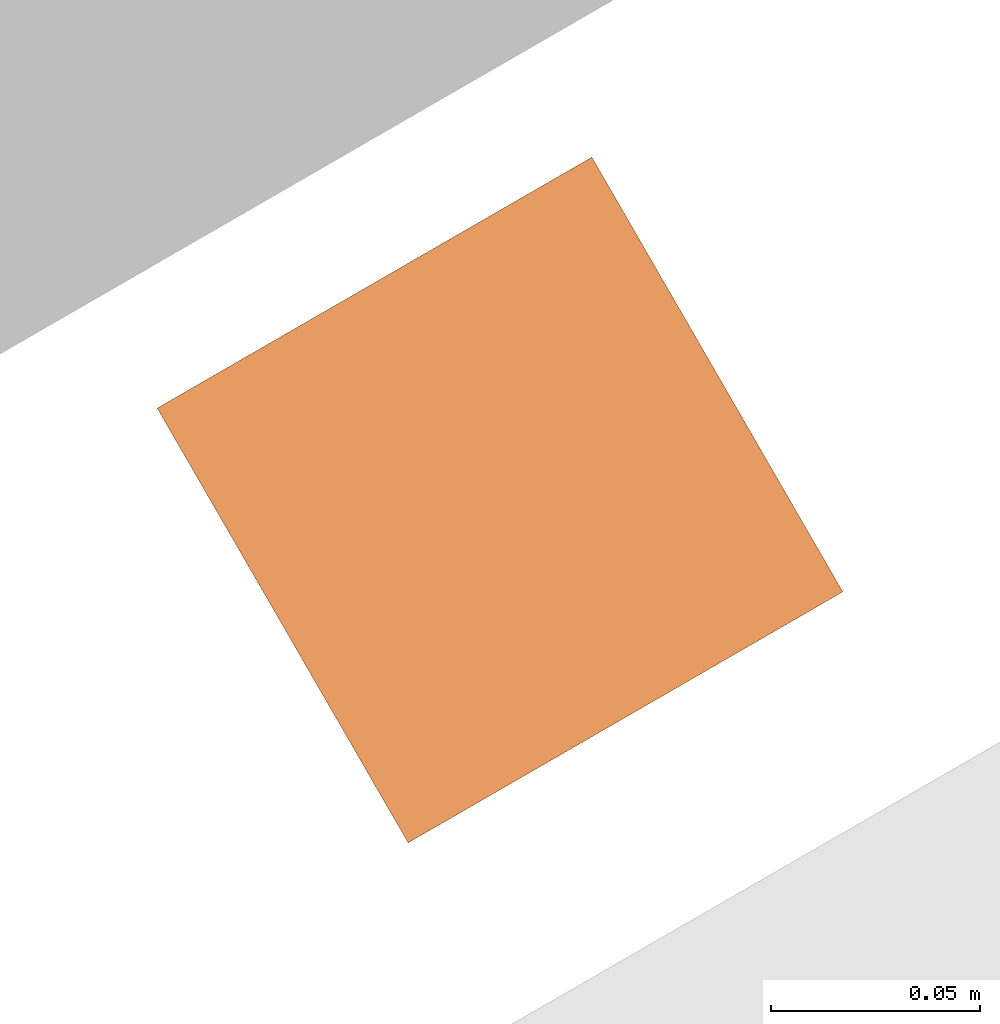
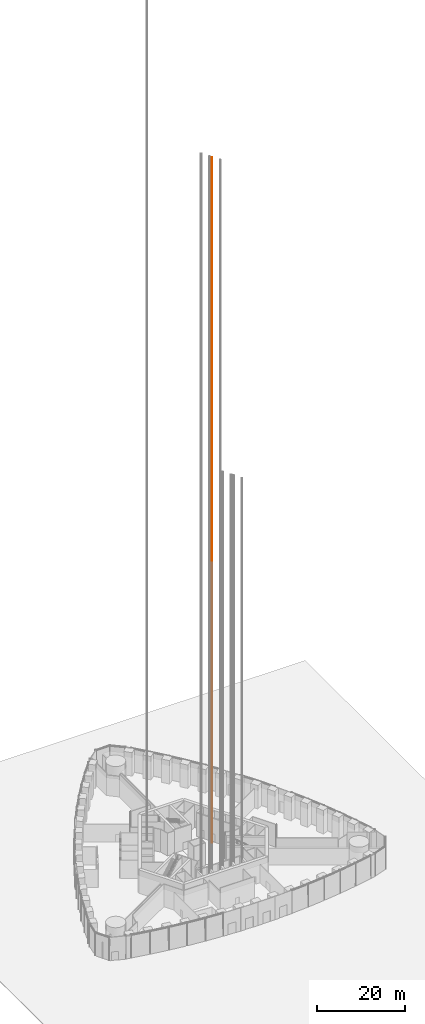
# One storey, part 40 of 43: 1 proxy.
"""IFC4 building model written with IfcOpenShell, lengths in metres."""

from ifc_helpers import new_model, si_unit, direction, frame, origin, origin_2d, place, context, subcontext, project, spatial, rectangle, extrude, element, save


model = new_model("IFC4")

# Units and contexts
model_context = context("Model", 3, precision=1e-05, world=origin(), true_north=direction((0.0, 1.0)))
body_context = subcontext(model_context, "Body", "Model", "MODEL_VIEW")
ifc_project = project(units=[si_unit("LENGTHUNIT", "METRE"), si_unit("AREAUNIT", "SQUARE_METRE"), si_unit("VOLUMEUNIT", "CUBIC_METRE"), si_unit("PLANEANGLEUNIT", "RADIAN"), si_unit("MASSUNIT", "GRAM", prefix="KILO")], contexts=[model_context])

# Site, building, storey
site_placement = place(None, origin())
site = spatial("IfcSite", under=ifc_project, at=site_placement, CompositionType="ELEMENT")
building_placement = place(site_placement, origin())
building = spatial("IfcBuilding", under=site, at=building_placement, Name="Trefoil Bronze Tower", CompositionType="ELEMENT")
storey_placement = place(building_placement, origin())
storey = spatial("IfcBuildingStorey", under=building, at=storey_placement, Name="L00", CompositionType="ELEMENT", Elevation=0.0)

# Proxy
proxy_placement = place(storey_placement, frame((8.529296875, 7.8515625, -1.60009765625), z_axis=(0.0, 0.0, 1.0), x_axis=(-0.5, 0.866025403784, 0.0)))
element("IfcBuildingElementProxy", 1, at=proxy_placement, inside=storey, Name="Lift S3 guide rail 2", ObjectType="LIFT GUIDE RAIL", PredefinedType="USERDEFINED", context=body_context, shape_type="SweptSolid", body=[
    extrude(rectangle(XDim=0.1201171875, YDim=0.1201171875, at=origin_2d()), origin(), (0.0, 0.0, 1.0), 190.75),
])

save(model, "model.ifc")
